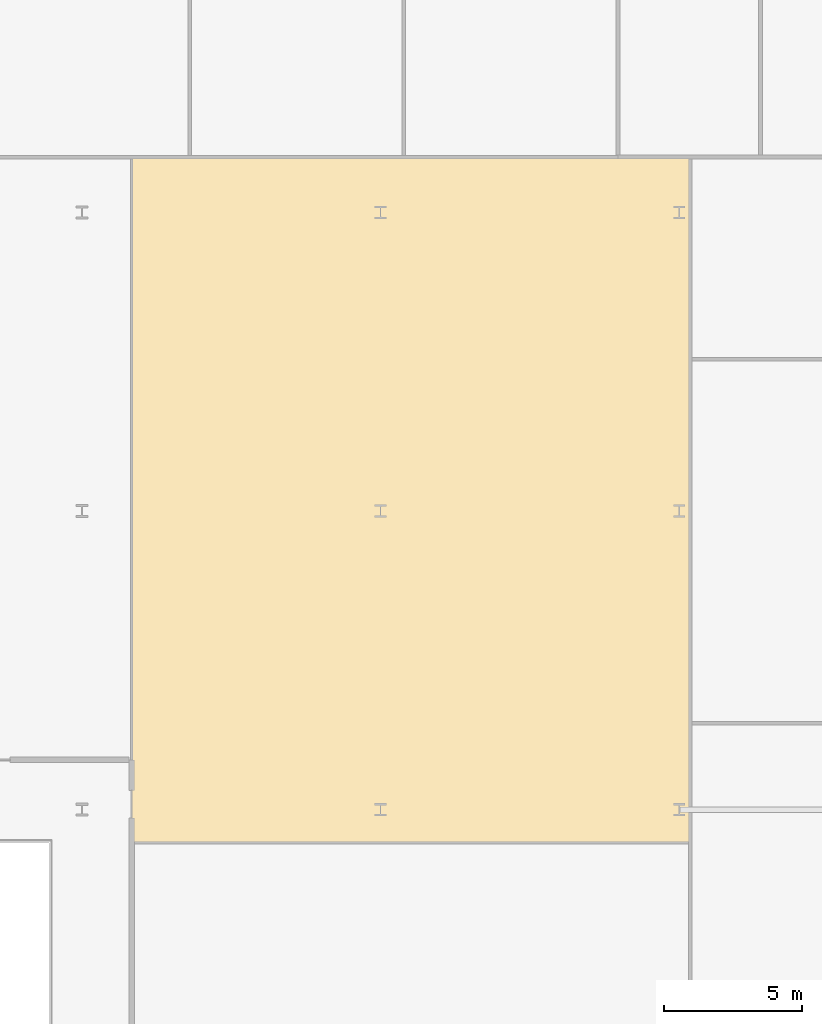
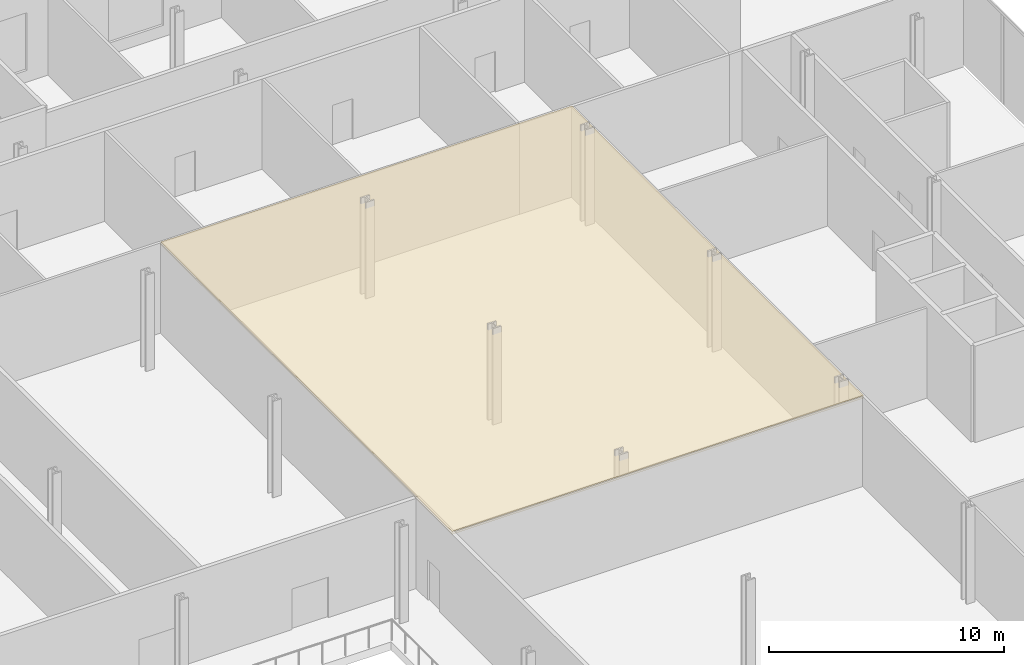
# One storey, part 46 of 47: 1 covering.
"""IFC4 building model written with IfcOpenShell, lengths in metres."""

from ifc_helpers import new_model, si_unit, direction, frame, origin, place, context, subcontext, project, spatial, polyline, outline, extrude, material, layer, layer_set, type_object, element, save


model = new_model("IFC4")

# Units and contexts
model_context = context("Model", 3, precision=1e-05, world=origin(), true_north=direction((0.0, 1.0)))
body_context = subcontext(model_context, "Body", "Model", "MODEL_VIEW")
ifc_project = project(units=[si_unit("LENGTHUNIT", "METRE"), si_unit("AREAUNIT", "SQUARE_METRE"), si_unit("VOLUMEUNIT", "CUBIC_METRE"), si_unit("PLANEANGLEUNIT", "RADIAN"), si_unit("MASSUNIT", "GRAM", prefix="KILO")], contexts=[model_context])

# Site, building, storey
site_placement = place(None, origin())
site = spatial("IfcSite", under=ifc_project, at=site_placement, CompositionType="ELEMENT")
building_placement = place(site_placement, origin())
building = spatial("IfcBuilding", under=site, at=building_placement, Name="Kheshtan School and Residences Tower", CompositionType="ELEMENT")
storey_placement = place(building_placement, frame((0.0, 0.0, 7.5)))
storey = spatial("IfcBuildingStorey", under=building, at=storey_placement, Name="L01", CompositionType="ELEMENT", Elevation=7.5)

# Covering
ifc_material = material(Name="Mineral fibre acoustic ceiling on metal grid")
ifc_layer = layer(ifc_material, 0.14990234375)
ifc_layer_set = layer_set([ifc_layer], Name="Acoustic ceiling 150 mineral fibre")
covering_type = type_object("IfcCoveringType", Name="Acoustic ceiling 150 mineral fibre", PredefinedType="CEILING", material=ifc_layer_set)
covering_placement = place(storey_placement, frame((0.0, 0.0, 4.530029296875)))
element("IfcCovering", 1, at=covering_placement, inside=storey, type_object=covering_type, Name="Ceiling Public Library L01", PredefinedType="CEILING", context=body_context, shape_type="SweptSolid", body=[
    extrude(outline(polyline([(94.701904296875, 90.800048828125), (102.443115234375, 90.800048828125), (110.18310546875, 90.800048828125), (112.800048828125, 90.800048828125), (112.800048828125, 83.487060546875), (112.800048828125, 70.324951171875), (112.800048828125, 66.0), (92.60009765625, 66.0), (92.60009765625, 69.0), (92.60009765625, 90.800048828125), (94.701904296875, 90.800048828125)])), origin(), (0.0, 0.0, 1.0), 0.14990234375),
])

save(model, "model.ifc")
